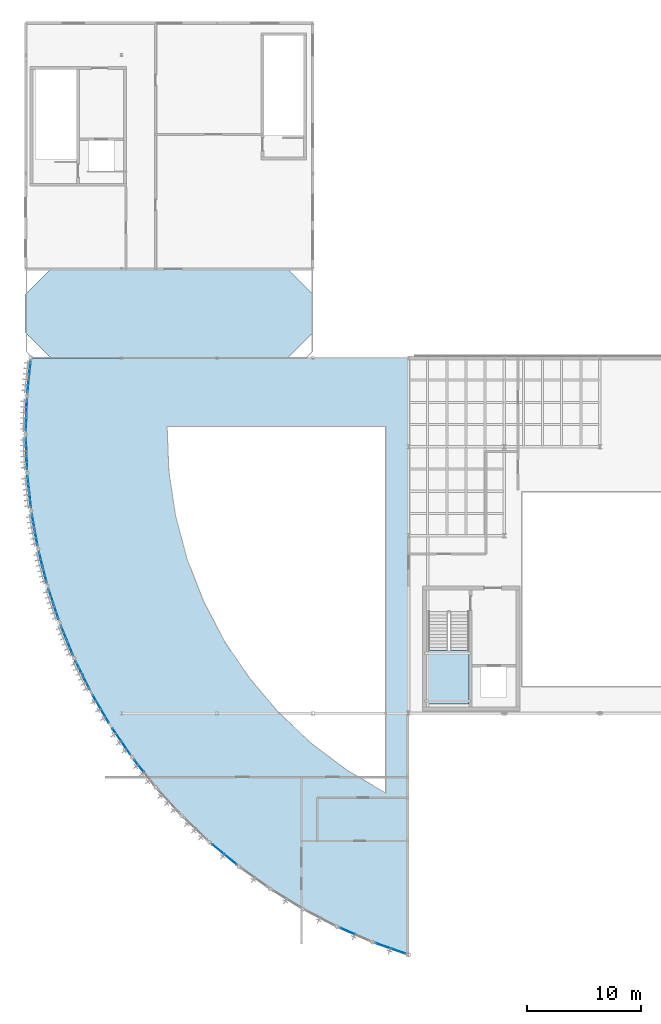
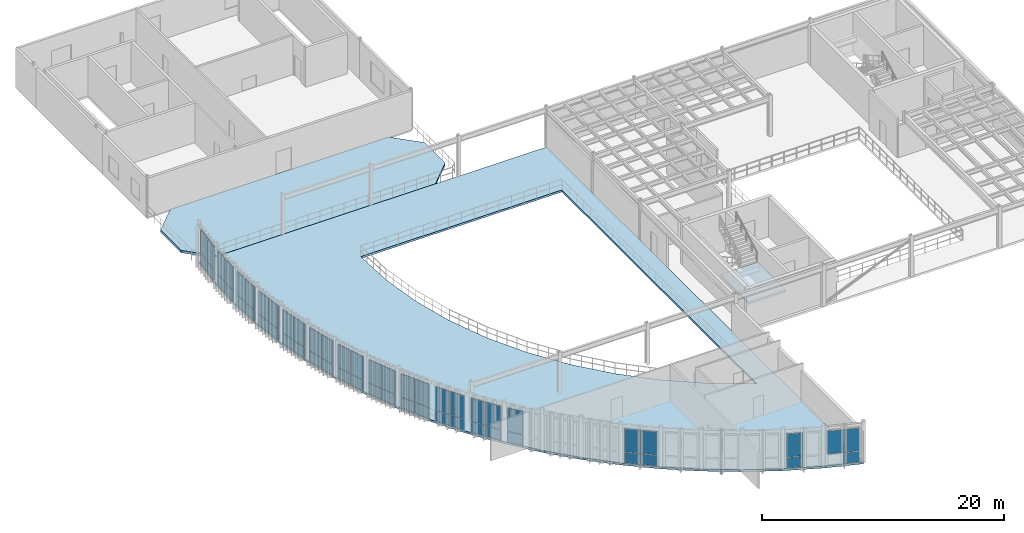
# One storey, part 18 of 32: 55 plates, 3 slabs, 16 elements without a shape of their own.
"""IFC4 building model written with IfcOpenShell, lengths in metres."""

from ifc_helpers import new_model, si_unit, direction, frame, origin, origin_2d, place, context, subcontext, project, spatial, polyline, rectangle, outline, extrude, material, layer, layer_set, type_object, element, aggregate, save


model = new_model("IFC4")

# Units and contexts
model_context = context("Model", 3, precision=1e-05, world=origin(), true_north=direction((0.0, 1.0)))
body_context = subcontext(model_context, "Body", "Model", "MODEL_VIEW")
ifc_project = project(units=[si_unit("LENGTHUNIT", "METRE"), si_unit("AREAUNIT", "SQUARE_METRE"), si_unit("VOLUMEUNIT", "CUBIC_METRE"), si_unit("PLANEANGLEUNIT", "RADIAN"), si_unit("MASSUNIT", "GRAM", prefix="KILO")], contexts=[model_context])

# Site, building, storey
site_placement = place(None, origin())
site = spatial("IfcSite", under=ifc_project, at=site_placement, CompositionType="ELEMENT")
building_placement = place(site_placement, origin())
building = spatial("IfcBuilding", under=site, at=building_placement, Name="Selat Folded Stagehouse", CompositionType="ELEMENT")
storey_placement = place(building_placement, frame((0.0, 0.0, 19.199951171875)))
storey = spatial("IfcBuildingStorey", under=building, at=storey_placement, Name="L04", CompositionType="ELEMENT", Elevation=19.199951171875)

# Curtain wall, plates
ifc_material_1 = material(Name="Aluminium 6063-T6", Category="aluminium")
ifc_layer_1 = layer(ifc_material_1, 0.18505859375)
ifc_layer_set_1 = layer_set([ifc_layer_1], Name="Aluminium 6063-T6")
curtain_wall_type = type_object("IfcCurtainWallType", Name="CW-DRM-UPPER", PredefinedType="NOTDEFINED", material=ifc_layer_set_1)
curtain_wall_1_placement = place(storey_placement, origin())
curtain_wall_1 = element("IfcCurtainWall", 1, at=curtain_wall_1_placement, inside=storey, type_object=curtain_wall_type, Name="L04 curtain wall CW-DRM-L04-00", PredefinedType="NOTDEFINED")
ifc_material_2 = material(Name="Insulated bronze aluminium spandrel panel", Category="aluminium")
ifc_layer_2 = layer(ifc_material_2, 0.050048828125)
ifc_layer_set_2 = layer_set([ifc_layer_2], Name="Insulated bronze aluminium spandrel panel")
plate_type = type_object("IfcPlateType", Name="CWP-SPD-ALU50", PredefinedType="CURTAIN_PANEL", material=ifc_layer_set_2)
plate_1_placement = place(storey_placement, frame((0.211181640625, 52.22705078125, 0.06494140625), z_axis=(0.0, 0.0, 1.0), x_axis=(0.102616116059, 0.994721032614, 0.0)))
plate_1 = element("IfcPlate", 2, at=plate_1_placement, type_object=plate_type, Name="CW-03 panel 1.1", PredefinedType="CURTAIN_PANEL", context=body_context, shape_type="SweptSolid", body=[
    extrude(rectangle(XDim=1.3369140625, YDim=0.050048828125, at=origin_2d()), origin(), (0.0, 0.0, 1.0), 1.052490234375),
])
plate_2_placement = place(storey_placement, frame((0.211181640625, 52.22705078125, 1.1826171875), z_axis=(0.0, 0.0, 1.0), x_axis=(0.102616116059, 0.994721032614, 0.0)))
plate_2 = element("IfcPlate", 3, at=plate_2_placement, type_object=plate_type, Name="CW-03 panel 1.2", PredefinedType="CURTAIN_PANEL", context=body_context, shape_type="SweptSolid", body=[
    extrude(rectangle(XDim=1.3369140625, YDim=0.050048828125, at=origin_2d()), origin(), (0.0, 0.0, 1.0), 2.3125),
])
plate_3_placement = place(storey_placement, frame((0.35498046875, 53.62158203125, 0.06494140625), z_axis=(0.0, 0.0, 1.0), x_axis=(0.102616116059, 0.994721032614, 0.0)))
plate_3 = element("IfcPlate", 4, at=plate_3_placement, type_object=plate_type, Name="CW-03 panel 2.1", PredefinedType="CURTAIN_PANEL", context=body_context, shape_type="SweptSolid", body=[
    extrude(rectangle(XDim=1.3369140625, YDim=0.050048828125, at=origin_2d()), origin(), (0.0, 0.0, 1.0), 1.052490234375),
])
plate_4_placement = place(storey_placement, frame((0.35498046875, 53.62158203125, 1.1826171875), z_axis=(0.0, 0.0, 1.0), x_axis=(0.102616116059, 0.994721032614, 0.0)))
plate_4 = element("IfcPlate", 5, at=plate_4_placement, type_object=plate_type, Name="CW-03 panel 2.2", PredefinedType="CURTAIN_PANEL", context=body_context, shape_type="SweptSolid", body=[
    extrude(rectangle(XDim=1.3369140625, YDim=0.050048828125, at=origin_2d()), origin(), (0.0, 0.0, 1.0), 2.3125),
])
aggregate(curtain_wall_1, [plate_1, plate_2, plate_3, plate_4])

curtain_wall_2_placement = place(storey_placement, origin())
curtain_wall_2 = element("IfcCurtainWall", 6, at=curtain_wall_2_placement, inside=storey, type_object=curtain_wall_type, Name="L04 curtain wall CW-DRM-L04-01", PredefinedType="NOTDEFINED")
plate_5_placement = place(storey_placement, frame((0.0322265625, 48.864501953125, 0.06494140625), z_axis=(0.0, 0.0, 1.0), x_axis=(0.032625434862, 0.999467648801, 0.0)))
plate_5 = element("IfcPlate", 7, at=plate_5_placement, type_object=plate_type, Name="CW-03 panel 1.1", PredefinedType="CURTAIN_PANEL", context=body_context, shape_type="SweptSolid", body=[
    extrude(rectangle(XDim=1.3369140625, YDim=0.050048828125, at=origin_2d()), origin(), (0.0, 0.0, 1.0), 1.052490234375),
])
plate_6_placement = place(storey_placement, frame((0.0322265625, 48.864501953125, 1.1826171875), z_axis=(0.0, 0.0, 1.0), x_axis=(0.032625434862, 0.999467648801, 0.0)))
plate_6 = element("IfcPlate", 8, at=plate_6_placement, type_object=plate_type, Name="CW-03 panel 1.2", PredefinedType="CURTAIN_PANEL", context=body_context, shape_type="SweptSolid", body=[
    extrude(rectangle(XDim=1.3369140625, YDim=0.050048828125, at=origin_2d()), origin(), (0.0, 0.0, 1.0), 2.3125),
])
plate_7_placement = place(storey_placement, frame((0.077880859375, 50.265869140625, 0.06494140625), z_axis=(0.0, 0.0, 1.0), x_axis=(0.032625434862, 0.999467648801, 0.0)))
plate_7 = element("IfcPlate", 9, at=plate_7_placement, type_object=plate_type, Name="CW-03 panel 2.1", PredefinedType="CURTAIN_PANEL", context=body_context, shape_type="SweptSolid", body=[
    extrude(rectangle(XDim=1.3369140625, YDim=0.050048828125, at=origin_2d()), origin(), (0.0, 0.0, 1.0), 1.052490234375),
])
plate_8_placement = place(storey_placement, frame((0.077880859375, 50.265869140625, 1.1826171875), z_axis=(0.0, 0.0, 1.0), x_axis=(0.032625434862, 0.999467648801, 0.0)))
plate_8 = element("IfcPlate", 10, at=plate_8_placement, type_object=plate_type, Name="CW-03 panel 2.2", PredefinedType="CURTAIN_PANEL", context=body_context, shape_type="SweptSolid", body=[
    extrude(rectangle(XDim=1.3369140625, YDim=0.050048828125, at=origin_2d()), origin(), (0.0, 0.0, 1.0), 2.3125),
])
aggregate(curtain_wall_2, [plate_5, plate_6, plate_7, plate_8])

curtain_wall_3_placement = place(storey_placement, origin())
curtain_wall_3 = element("IfcCurtainWall", 11, at=curtain_wall_3_placement, inside=storey, type_object=curtain_wall_type, Name="L04 curtain wall CW-DRM-L04-02", PredefinedType="NOTDEFINED")
plate_9_placement = place(storey_placement, frame((0.08984375, 45.497802734375, 0.06494140625), z_axis=(0.0, 0.0, 1.0), x_axis=(-0.037573727908, 0.999293858167, 0.0)))
plate_9 = element("IfcPlate", 12, at=plate_9_placement, type_object=plate_type, Name="CW-03 panel 1.1", PredefinedType="CURTAIN_PANEL", context=body_context, shape_type="SweptSolid", body=[
    extrude(rectangle(XDim=1.3369140625, YDim=0.050048828125, at=origin_2d()), origin(), (0.0, 0.0, 1.0), 1.052490234375),
])
plate_10_placement = place(storey_placement, frame((0.08984375, 45.497802734375, 1.1826171875), z_axis=(0.0, 0.0, 1.0), x_axis=(-0.037573727908, 0.999293858167, 0.0)))
plate_10 = element("IfcPlate", 13, at=plate_10_placement, type_object=plate_type, Name="CW-03 panel 1.2", PredefinedType="CURTAIN_PANEL", context=body_context, shape_type="SweptSolid", body=[
    extrude(rectangle(XDim=1.3369140625, YDim=0.050048828125, at=origin_2d()), origin(), (0.0, 0.0, 1.0), 2.3125),
])
plate_11_placement = place(storey_placement, frame((0.037109375, 46.89892578125, 0.06494140625), z_axis=(0.0, 0.0, 1.0), x_axis=(-0.037573727908, 0.999293858167, 0.0)))
plate_11 = element("IfcPlate", 14, at=plate_11_placement, type_object=plate_type, Name="CW-03 panel 2.1", PredefinedType="CURTAIN_PANEL", context=body_context, shape_type="SweptSolid", body=[
    extrude(rectangle(XDim=1.3369140625, YDim=0.050048828125, at=origin_2d()), origin(), (0.0, 0.0, 1.0), 1.052490234375),
])
plate_12_placement = place(storey_placement, frame((0.037109375, 46.89892578125, 1.1826171875), z_axis=(0.0, 0.0, 1.0), x_axis=(-0.037573727908, 0.999293858167, 0.0)))
plate_12 = element("IfcPlate", 15, at=plate_12_placement, type_object=plate_type, Name="CW-03 panel 2.2", PredefinedType="CURTAIN_PANEL", context=body_context, shape_type="SweptSolid", body=[
    extrude(rectangle(XDim=1.3369140625, YDim=0.050048828125, at=origin_2d()), origin(), (0.0, 0.0, 1.0), 2.3125),
])
aggregate(curtain_wall_3, [plate_9, plate_10, plate_11, plate_12])

curtain_wall_4_placement = place(storey_placement, origin())
curtain_wall_4 = element("IfcCurtainWall", 16, at=curtain_wall_4_placement, inside=storey, type_object=curtain_wall_type, Name="L04 curtain wall CW-DRM-L04-03", PredefinedType="NOTDEFINED")
plate_13_placement = place(storey_placement, frame((0.38330078125, 42.143310546875, 0.06494140625), z_axis=(0.0, 0.0, 1.0), x_axis=(-0.107558193428, 0.994198790497, 0.0)))
plate_13 = element("IfcPlate", 17, at=plate_13_placement, type_object=plate_type, Name="CW-03 panel 1.1", PredefinedType="CURTAIN_PANEL", context=body_context, shape_type="SweptSolid", body=[
    extrude(rectangle(XDim=1.337158203125, YDim=0.050048828125, at=origin_2d()), origin(), (0.0, 0.0, 1.0), 1.052490234375),
])
plate_14_placement = place(storey_placement, frame((0.38330078125, 42.143310546875, 1.1826171875), z_axis=(0.0, 0.0, 1.0), x_axis=(-0.107558193428, 0.994198790497, 0.0)))
plate_14 = element("IfcPlate", 18, at=plate_14_placement, type_object=plate_type, Name="CW-03 panel 1.2", PredefinedType="CURTAIN_PANEL", context=body_context, shape_type="SweptSolid", body=[
    extrude(rectangle(XDim=1.337158203125, YDim=0.050048828125, at=origin_2d()), origin(), (0.0, 0.0, 1.0), 2.3125),
])
plate_15_placement = place(storey_placement, frame((0.232421875, 43.537109375, 0.06494140625), z_axis=(0.0, 0.0, 1.0), x_axis=(-0.107558193428, 0.994198790497, 0.0)))
plate_15 = element("IfcPlate", 19, at=plate_15_placement, type_object=plate_type, Name="CW-03 panel 2.1", PredefinedType="CURTAIN_PANEL", context=body_context, shape_type="SweptSolid", body=[
    extrude(rectangle(XDim=1.337158203125, YDim=0.050048828125, at=origin_2d()), origin(), (0.0, 0.0, 1.0), 1.052490234375),
])
plate_16_placement = place(storey_placement, frame((0.232421875, 43.537109375, 1.1826171875), z_axis=(0.0, 0.0, 1.0), x_axis=(-0.107558193428, 0.994198790497, 0.0)))
plate_16 = element("IfcPlate", 20, at=plate_16_placement, type_object=plate_type, Name="CW-03 panel 2.2", PredefinedType="CURTAIN_PANEL", context=body_context, shape_type="SweptSolid", body=[
    extrude(rectangle(XDim=1.337158203125, YDim=0.050048828125, at=origin_2d()), origin(), (0.0, 0.0, 1.0), 2.3125),
])
aggregate(curtain_wall_4, [plate_13, plate_14, plate_15, plate_16])

curtain_wall_5_placement = place(storey_placement, origin())
curtain_wall_5 = element("IfcCurtainWall", 21, at=curtain_wall_5_placement, inside=storey, type_object=curtain_wall_type, Name="L04 curtain wall CW-DRM-L04-04", PredefinedType="NOTDEFINED")
plate_17_placement = place(storey_placement, frame((0.911376953125, 38.817626953125, 0.06494140625), z_axis=(0.0, 0.0, 1.0), x_axis=(-0.177001739435, 0.984210538572, 0.0)))
plate_17 = element("IfcPlate", 22, at=plate_17_placement, type_object=plate_type, Name="CW-03 panel 1.1", PredefinedType="CURTAIN_PANEL", context=body_context, shape_type="SweptSolid", body=[
    extrude(rectangle(XDim=1.3369140625, YDim=0.050048828125, at=origin_2d()), origin(), (0.0, 0.0, 1.0), 1.052490234375),
])
plate_18_placement = place(storey_placement, frame((0.911376953125, 38.817626953125, 1.1826171875), z_axis=(0.0, 0.0, 1.0), x_axis=(-0.177001739435, 0.984210538572, 0.0)))
plate_18 = element("IfcPlate", 23, at=plate_18_placement, type_object=plate_type, Name="CW-03 panel 1.2", PredefinedType="CURTAIN_PANEL", context=body_context, shape_type="SweptSolid", body=[
    extrude(rectangle(XDim=1.3369140625, YDim=0.050048828125, at=origin_2d()), origin(), (0.0, 0.0, 1.0), 2.3125),
])
plate_19_placement = place(storey_placement, frame((0.663330078125, 40.197509765625, 0.06494140625), z_axis=(0.0, 0.0, 1.0), x_axis=(-0.177001739435, 0.984210538572, 0.0)))
plate_19 = element("IfcPlate", 24, at=plate_19_placement, type_object=plate_type, Name="CW-03 panel 2.1", PredefinedType="CURTAIN_PANEL", context=body_context, shape_type="SweptSolid", body=[
    extrude(rectangle(XDim=1.3369140625, YDim=0.050048828125, at=origin_2d()), origin(), (0.0, 0.0, 1.0), 1.052490234375),
])
plate_20_placement = place(storey_placement, frame((0.663330078125, 40.197509765625, 1.1826171875), z_axis=(0.0, 0.0, 1.0), x_axis=(-0.177001739435, 0.984210538572, 0.0)))
plate_20 = element("IfcPlate", 25, at=plate_20_placement, type_object=plate_type, Name="CW-03 panel 2.2", PredefinedType="CURTAIN_PANEL", context=body_context, shape_type="SweptSolid", body=[
    extrude(rectangle(XDim=1.3369140625, YDim=0.050048828125, at=origin_2d()), origin(), (0.0, 0.0, 1.0), 2.3125),
])
aggregate(curtain_wall_5, [plate_17, plate_18, plate_19, plate_20])

curtain_wall_6_placement = place(storey_placement, origin())
curtain_wall_6 = element("IfcCurtainWall", 26, at=curtain_wall_6_placement, inside=storey, type_object=curtain_wall_type, Name="L04 curtain wall CW-DRM-L04-05", PredefinedType="NOTDEFINED")
plate_21_placement = place(storey_placement, frame((1.67138671875, 35.537353515625, 0.06494140625), z_axis=(0.0, 0.0, 1.0), x_axis=(-0.24561797686, 0.969366705351, 0.0)))
plate_21 = element("IfcPlate", 27, at=plate_21_placement, type_object=plate_type, Name="CW-03 panel 1.1", PredefinedType="CURTAIN_PANEL", context=body_context, shape_type="SweptSolid", body=[
    extrude(rectangle(XDim=1.337158203125, YDim=0.050048828125, at=origin_2d()), origin(), (0.0, 0.0, 1.0), 1.052490234375),
])
plate_22_placement = place(storey_placement, frame((1.67138671875, 35.537353515625, 1.1826171875), z_axis=(0.0, 0.0, 1.0), x_axis=(-0.24561797686, 0.969366705351, 0.0)))
plate_22 = element("IfcPlate", 28, at=plate_22_placement, type_object=plate_type, Name="CW-03 panel 1.2", PredefinedType="CURTAIN_PANEL", context=body_context, shape_type="SweptSolid", body=[
    extrude(rectangle(XDim=1.337158203125, YDim=0.050048828125, at=origin_2d()), origin(), (0.0, 0.0, 1.0), 2.3125),
])
plate_23_placement = place(storey_placement, frame((1.3271484375, 36.896240234375, 0.06494140625), z_axis=(0.0, 0.0, 1.0), x_axis=(-0.24561797686, 0.969366705351, 0.0)))
plate_23 = element("IfcPlate", 29, at=plate_23_placement, type_object=plate_type, Name="CW-03 panel 2.1", PredefinedType="CURTAIN_PANEL", context=body_context, shape_type="SweptSolid", body=[
    extrude(rectangle(XDim=1.337158203125, YDim=0.050048828125, at=origin_2d()), origin(), (0.0, 0.0, 1.0), 1.052490234375),
])
plate_24_placement = place(storey_placement, frame((1.3271484375, 36.896240234375, 1.1826171875), z_axis=(0.0, 0.0, 1.0), x_axis=(-0.24561797686, 0.969366705351, 0.0)))
plate_24 = element("IfcPlate", 30, at=plate_24_placement, type_object=plate_type, Name="CW-03 panel 2.2", PredefinedType="CURTAIN_PANEL", context=body_context, shape_type="SweptSolid", body=[
    extrude(rectangle(XDim=1.337158203125, YDim=0.050048828125, at=origin_2d()), origin(), (0.0, 0.0, 1.0), 2.3125),
])
aggregate(curtain_wall_6, [plate_21, plate_22, plate_23, plate_24])

curtain_wall_7_placement = place(storey_placement, origin())
curtain_wall_7 = element("IfcCurtainWall", 31, at=curtain_wall_7_placement, inside=storey, type_object=curtain_wall_type, Name="L04 curtain wall CW-DRM-L04-06", PredefinedType="NOTDEFINED")
plate_25_placement = place(storey_placement, frame((2.65966796875, 32.318359375, 0.06494140625), z_axis=(0.0, 0.0, 1.0), x_axis=(-0.312994904395, 0.949754805107, 0.0)))
plate_25 = element("IfcPlate", 32, at=plate_25_placement, type_object=plate_type, Name="CW-03 panel 1.1", PredefinedType="CURTAIN_PANEL", context=body_context, shape_type="SweptSolid", body=[
    extrude(rectangle(XDim=1.3369140625, YDim=0.050048828125, at=origin_2d()), origin(), (0.0, 0.0, 1.0), 1.052490234375),
])
plate_26_placement = place(storey_placement, frame((2.65966796875, 32.318359375, 1.1826171875), z_axis=(0.0, 0.0, 1.0), x_axis=(-0.312994904395, 0.949754805107, 0.0)))
plate_26 = element("IfcPlate", 33, at=plate_26_placement, type_object=plate_type, Name="CW-03 panel 1.2", PredefinedType="CURTAIN_PANEL", context=body_context, shape_type="SweptSolid", body=[
    extrude(rectangle(XDim=1.3369140625, YDim=0.050048828125, at=origin_2d()), origin(), (0.0, 0.0, 1.0), 2.3125),
])
plate_27_placement = place(storey_placement, frame((2.220947265625, 33.64990234375, 0.06494140625), z_axis=(0.0, 0.0, 1.0), x_axis=(-0.312994904395, 0.949754805107, 0.0)))
plate_27 = element("IfcPlate", 34, at=plate_27_placement, type_object=plate_type, Name="CW-03 panel 2.1", PredefinedType="CURTAIN_PANEL", context=body_context, shape_type="SweptSolid", body=[
    extrude(rectangle(XDim=1.3369140625, YDim=0.050048828125, at=origin_2d()), origin(), (0.0, 0.0, 1.0), 1.052490234375),
])
plate_28_placement = place(storey_placement, frame((2.220947265625, 33.64990234375, 1.1826171875), z_axis=(0.0, 0.0, 1.0), x_axis=(-0.312994904395, 0.949754805107, 0.0)))
plate_28 = element("IfcPlate", 35, at=plate_28_placement, type_object=plate_type, Name="CW-03 panel 2.2", PredefinedType="CURTAIN_PANEL", context=body_context, shape_type="SweptSolid", body=[
    extrude(rectangle(XDim=1.3369140625, YDim=0.050048828125, at=origin_2d()), origin(), (0.0, 0.0, 1.0), 2.3125),
])
aggregate(curtain_wall_7, [plate_25, plate_26, plate_27, plate_28])

curtain_wall_8_placement = place(storey_placement, origin())
curtain_wall_8 = element("IfcCurtainWall", 36, at=curtain_wall_8_placement, inside=storey, type_object=curtain_wall_type, Name="L04 curtain wall CW-DRM-L04-07", PredefinedType="NOTDEFINED")
plate_29_placement = place(storey_placement, frame((3.871337890625, 29.176513671875, 0.06494140625), z_axis=(0.0, 0.0, 1.0), x_axis=(-0.378890707813, 0.925441425231, 0.0)))
plate_29 = element("IfcPlate", 37, at=plate_29_placement, type_object=plate_type, Name="CW-03 panel 1.1", PredefinedType="CURTAIN_PANEL", context=body_context, shape_type="SweptSolid", body=[
    extrude(rectangle(XDim=1.3369140625, YDim=0.050048828125, at=origin_2d()), origin(), (0.0, 0.0, 1.0), 1.052490234375),
])
plate_30_placement = place(storey_placement, frame((3.871337890625, 29.176513671875, 1.1826171875), z_axis=(0.0, 0.0, 1.0), x_axis=(-0.378890707813, 0.925441425231, 0.0)))
plate_30 = element("IfcPlate", 38, at=plate_30_placement, type_object=plate_type, Name="CW-03 panel 1.2", PredefinedType="CURTAIN_PANEL", context=body_context, shape_type="SweptSolid", body=[
    extrude(rectangle(XDim=1.3369140625, YDim=0.050048828125, at=origin_2d()), origin(), (0.0, 0.0, 1.0), 2.3125),
])
plate_31_placement = place(storey_placement, frame((3.340087890625, 30.47412109375, 0.06494140625), z_axis=(0.0, 0.0, 1.0), x_axis=(-0.378890707813, 0.925441425231, 0.0)))
plate_31 = element("IfcPlate", 39, at=plate_31_placement, type_object=plate_type, Name="CW-03 panel 2.1", PredefinedType="CURTAIN_PANEL", context=body_context, shape_type="SweptSolid", body=[
    extrude(rectangle(XDim=1.3369140625, YDim=0.050048828125, at=origin_2d()), origin(), (0.0, 0.0, 1.0), 1.052490234375),
])
plate_32_placement = place(storey_placement, frame((3.340087890625, 30.47412109375, 1.1826171875), z_axis=(0.0, 0.0, 1.0), x_axis=(-0.378890707813, 0.925441425231, 0.0)))
plate_32 = element("IfcPlate", 40, at=plate_32_placement, type_object=plate_type, Name="CW-03 panel 2.2", PredefinedType="CURTAIN_PANEL", context=body_context, shape_type="SweptSolid", body=[
    extrude(rectangle(XDim=1.3369140625, YDim=0.050048828125, at=origin_2d()), origin(), (0.0, 0.0, 1.0), 2.3125),
])
aggregate(curtain_wall_8, [plate_29, plate_30, plate_31, plate_32])

curtain_wall_9_placement = place(storey_placement, origin())
curtain_wall_9 = element("IfcCurtainWall", 41, at=curtain_wall_9_placement, inside=storey, type_object=curtain_wall_type, Name="L04 curtain wall CW-DRM-L04-08", PredefinedType="NOTDEFINED")
plate_33_placement = place(storey_placement, frame((5.300537109375, 26.12744140625, 0.06494140625), z_axis=(0.0, 0.0, 1.0), x_axis=(-0.442844653705, 0.896598356392, 0.0)))
plate_33 = element("IfcPlate", 42, at=plate_33_placement, type_object=plate_type, Name="CW-03 panel 1.1", PredefinedType="CURTAIN_PANEL", context=body_context, shape_type="SweptSolid", body=[
    extrude(rectangle(XDim=1.337158203125, YDim=0.050048828125, at=origin_2d()), origin(), (0.0, 0.0, 1.0), 1.052490234375),
])
plate_34_placement = place(storey_placement, frame((5.300537109375, 26.12744140625, 1.1826171875), z_axis=(0.0, 0.0, 1.0), x_axis=(-0.442844653705, 0.896598356392, 0.0)))
plate_34 = element("IfcPlate", 43, at=plate_34_placement, type_object=plate_type, Name="CW-03 panel 1.2", PredefinedType="CURTAIN_PANEL", context=body_context, shape_type="SweptSolid", body=[
    extrude(rectangle(XDim=1.337158203125, YDim=0.050048828125, at=origin_2d()), origin(), (0.0, 0.0, 1.0), 2.3125),
])
plate_35_placement = place(storey_placement, frame((4.679443359375, 27.384521484375, 0.06494140625), z_axis=(0.0, 0.0, 1.0), x_axis=(-0.442844653705, 0.896598356392, 0.0)))
plate_35 = element("IfcPlate", 44, at=plate_35_placement, type_object=plate_type, Name="CW-03 panel 2.1", PredefinedType="CURTAIN_PANEL", context=body_context, shape_type="SweptSolid", body=[
    extrude(rectangle(XDim=1.337158203125, YDim=0.050048828125, at=origin_2d()), origin(), (0.0, 0.0, 1.0), 1.052490234375),
])
plate_36_placement = place(storey_placement, frame((4.679443359375, 27.384521484375, 1.1826171875), z_axis=(0.0, 0.0, 1.0), x_axis=(-0.442844653705, 0.896598356392, 0.0)))
plate_36 = element("IfcPlate", 45, at=plate_36_placement, type_object=plate_type, Name="CW-03 panel 2.2", PredefinedType="CURTAIN_PANEL", context=body_context, shape_type="SweptSolid", body=[
    extrude(rectangle(XDim=1.337158203125, YDim=0.050048828125, at=origin_2d()), origin(), (0.0, 0.0, 1.0), 2.3125),
])
aggregate(curtain_wall_9, [plate_33, plate_34, plate_35, plate_36])

curtain_wall_10_placement = place(storey_placement, origin())
curtain_wall_10 = element("IfcCurtainWall", 46, at=curtain_wall_10_placement, inside=storey, type_object=curtain_wall_type, Name="L04 curtain wall CW-DRM-L04-09", PredefinedType="NOTDEFINED")
plate_37_placement = place(storey_placement, frame((6.93994140625, 23.186279296875, 0.06494140625), z_axis=(0.0, 0.0, 1.0), x_axis=(-0.504635839764, 0.863332305214, 0.0)))
plate_37 = element("IfcPlate", 47, at=plate_37_placement, type_object=plate_type, Name="CW-03 panel 1.1", PredefinedType="CURTAIN_PANEL", context=body_context, shape_type="SweptSolid", body=[
    extrude(rectangle(XDim=1.3369140625, YDim=0.050048828125, at=origin_2d()), origin(), (0.0, 0.0, 1.0), 1.052490234375),
])
plate_38_placement = place(storey_placement, frame((6.93994140625, 23.186279296875, 1.1826171875), z_axis=(0.0, 0.0, 1.0), x_axis=(-0.504635839764, 0.863332305214, 0.0)))
plate_38 = element("IfcPlate", 48, at=plate_38_placement, type_object=plate_type, Name="CW-03 panel 1.2", PredefinedType="CURTAIN_PANEL", context=body_context, shape_type="SweptSolid", body=[
    extrude(rectangle(XDim=1.3369140625, YDim=0.050048828125, at=origin_2d()), origin(), (0.0, 0.0, 1.0), 2.3125),
])
plate_39_placement = place(storey_placement, frame((6.232421875, 24.396728515625, 0.06494140625), z_axis=(0.0, 0.0, 1.0), x_axis=(-0.504635839764, 0.863332305214, 0.0)))
plate_39 = element("IfcPlate", 49, at=plate_39_placement, type_object=plate_type, Name="CW-03 panel 2.1", PredefinedType="CURTAIN_PANEL", context=body_context, shape_type="SweptSolid", body=[
    extrude(rectangle(XDim=1.3369140625, YDim=0.050048828125, at=origin_2d()), origin(), (0.0, 0.0, 1.0), 1.052490234375),
])
plate_40_placement = place(storey_placement, frame((6.232421875, 24.396728515625, 1.1826171875), z_axis=(0.0, 0.0, 1.0), x_axis=(-0.504635839764, 0.863332305214, 0.0)))
plate_40 = element("IfcPlate", 50, at=plate_40_placement, type_object=plate_type, Name="CW-03 panel 2.2", PredefinedType="CURTAIN_PANEL", context=body_context, shape_type="SweptSolid", body=[
    extrude(rectangle(XDim=1.3369140625, YDim=0.050048828125, at=origin_2d()), origin(), (0.0, 0.0, 1.0), 2.3125),
])
aggregate(curtain_wall_10, [plate_37, plate_38, plate_39, plate_40])

curtain_wall_11_placement = place(storey_placement, origin())
curtain_wall_11 = element("IfcCurtainWall", 51, at=curtain_wall_11_placement, inside=storey, type_object=curtain_wall_type, Name="L04 curtain wall CW-DRM-L04-10", PredefinedType="NOTDEFINED")
plate_41_placement = place(storey_placement, frame((8.781494140625, 20.3671875, 0.06494140625), z_axis=(0.0, 0.0, 1.0), x_axis=(-0.563947732504, 0.825810483709, 0.0)))
plate_41 = element("IfcPlate", 52, at=plate_41_placement, type_object=plate_type, Name="CW-03 panel 1.1", PredefinedType="CURTAIN_PANEL", context=body_context, shape_type="SweptSolid", body=[
    extrude(rectangle(XDim=1.3369140625, YDim=0.050048828125, at=origin_2d()), origin(), (0.0, 0.0, 1.0), 1.052490234375),
])
plate_42_placement = place(storey_placement, frame((8.781494140625, 20.3671875, 1.1826171875), z_axis=(0.0, 0.0, 1.0), x_axis=(-0.563947732504, 0.825810483709, 0.0)))
plate_42 = element("IfcPlate", 53, at=plate_42_placement, type_object=plate_type, Name="CW-03 panel 1.2", PredefinedType="CURTAIN_PANEL", context=body_context, shape_type="SweptSolid", body=[
    extrude(rectangle(XDim=1.3369140625, YDim=0.050048828125, at=origin_2d()), origin(), (0.0, 0.0, 1.0), 2.3125),
])
plate_43_placement = place(storey_placement, frame((7.990966796875, 21.525146484375, 0.06494140625), z_axis=(0.0, 0.0, 1.0), x_axis=(-0.563947732504, 0.825810483709, 0.0)))
plate_43 = element("IfcPlate", 54, at=plate_43_placement, type_object=plate_type, Name="CW-03 panel 2.1", PredefinedType="CURTAIN_PANEL", context=body_context, shape_type="SweptSolid", body=[
    extrude(rectangle(XDim=1.3369140625, YDim=0.050048828125, at=origin_2d()), origin(), (0.0, 0.0, 1.0), 1.052490234375),
])
plate_44_placement = place(storey_placement, frame((7.990966796875, 21.525146484375, 1.1826171875), z_axis=(0.0, 0.0, 1.0), x_axis=(-0.563947732504, 0.825810483709, 0.0)))
plate_44 = element("IfcPlate", 55, at=plate_44_placement, type_object=plate_type, Name="CW-03 panel 2.2", PredefinedType="CURTAIN_PANEL", context=body_context, shape_type="SweptSolid", body=[
    extrude(rectangle(XDim=1.3369140625, YDim=0.050048828125, at=origin_2d()), origin(), (0.0, 0.0, 1.0), 2.3125),
])
aggregate(curtain_wall_11, [plate_41, plate_42, plate_43, plate_44])

curtain_wall_12_placement = place(storey_placement, origin())
curtain_wall_12 = element("IfcCurtainWall", 56, at=curtain_wall_12_placement, inside=storey, type_object=curtain_wall_type, Name="L04 curtain wall CW-DRM-L04-11", PredefinedType="NOTDEFINED")
plate_45_placement = place(storey_placement, frame((9.946533203125, 18.78369140625, 0.06494140625), z_axis=(0.0, 0.0, 1.0), x_axis=(-0.620533301992, 0.784180094825, 0.0)))
plate_45 = element("IfcPlate", 57, at=plate_45_placement, type_object=plate_type, Name="CW-03 panel 2.1", PredefinedType="CURTAIN_PANEL", context=body_context, shape_type="SweptSolid", body=[
    extrude(rectangle(XDim=1.3369140625, YDim=0.050048828125, at=origin_2d()), origin(), (0.0, 0.0, 1.0), 1.052490234375),
])
plate_46_placement = place(storey_placement, frame((9.946533203125, 18.78369140625, 1.1826171875), z_axis=(0.0, 0.0, 1.0), x_axis=(-0.620533301992, 0.784180094825, 0.0)))
plate_46 = element("IfcPlate", 58, at=plate_46_placement, type_object=plate_type, Name="CW-03 panel 2.2", PredefinedType="CURTAIN_PANEL", context=body_context, shape_type="SweptSolid", body=[
    extrude(rectangle(XDim=1.3369140625, YDim=0.050048828125, at=origin_2d()), origin(), (0.0, 0.0, 1.0), 2.3125),
])
aggregate(curtain_wall_12, [plate_45, plate_46])

curtain_wall_13_placement = place(storey_placement, origin())
curtain_wall_13 = element("IfcCurtainWall", 59, at=curtain_wall_13_placement, inside=storey, type_object=curtain_wall_type, Name="L04 curtain wall CW-DRM-L04-14", PredefinedType="NOTDEFINED")
plate_47_placement = place(storey_placement, frame((17.9755859375, 10.580810546875, 0.06494140625), z_axis=(0.0, 0.0, 1.0), x_axis=(-0.770746654899, 0.637141737734, 0.0)))
plate_47 = element("IfcPlate", 60, at=plate_47_placement, type_object=plate_type, Name="CW-03 panel 1.1", PredefinedType="CURTAIN_PANEL", context=body_context, shape_type="SweptSolid", body=[
    extrude(rectangle(XDim=1.3369140625, YDim=0.050048828125, at=origin_2d()), origin(), (0.0, 0.0, 1.0), 1.052490234375),
])
plate_48_placement = place(storey_placement, frame((17.9755859375, 10.580810546875, 1.1826171875), z_axis=(0.0, 0.0, 1.0), x_axis=(-0.770746654899, 0.637141737734, 0.0)))
plate_48 = element("IfcPlate", 61, at=plate_48_placement, type_object=plate_type, Name="CW-03 panel 1.2", PredefinedType="CURTAIN_PANEL", context=body_context, shape_type="SweptSolid", body=[
    extrude(rectangle(XDim=1.3369140625, YDim=0.050048828125, at=origin_2d()), origin(), (0.0, 0.0, 1.0), 2.3125),
])
plate_49_placement = place(storey_placement, frame((16.89501953125, 11.47412109375, 0.06494140625), z_axis=(0.0, 0.0, 1.0), x_axis=(-0.770746654899, 0.637141737734, 0.0)))
plate_49 = element("IfcPlate", 62, at=plate_49_placement, type_object=plate_type, Name="CW-03 panel 2.1", PredefinedType="CURTAIN_PANEL", context=body_context, shape_type="SweptSolid", body=[
    extrude(rectangle(XDim=1.3369140625, YDim=0.050048828125, at=origin_2d()), origin(), (0.0, 0.0, 1.0), 1.052490234375),
])
plate_50_placement = place(storey_placement, frame((16.89501953125, 11.47412109375, 1.1826171875), z_axis=(0.0, 0.0, 1.0), x_axis=(-0.770746654899, 0.637141737734, 0.0)))
plate_50 = element("IfcPlate", 63, at=plate_50_placement, type_object=plate_type, Name="CW-03 panel 2.2", PredefinedType="CURTAIN_PANEL", context=body_context, shape_type="SweptSolid", body=[
    extrude(rectangle(XDim=1.3369140625, YDim=0.050048828125, at=origin_2d()), origin(), (0.0, 0.0, 1.0), 2.3125),
])
aggregate(curtain_wall_13, [plate_47, plate_48, plate_49, plate_50])

curtain_wall_14_placement = place(storey_placement, origin())
curtain_wall_14 = element("IfcCurtainWall", 64, at=curtain_wall_14_placement, inside=storey, type_object=curtain_wall_type, Name="L04 curtain wall CW-DRM-L04-18", PredefinedType="NOTDEFINED")
plate_51_placement = place(storey_placement, frame((28.23583984375, 4.28466796875, 0.06494140625), z_axis=(0.0, 0.0, 1.0), x_axis=(-0.917133771915, 0.39857953336, 0.0)))
plate_51 = element("IfcPlate", 65, at=plate_51_placement, type_object=plate_type, Name="CW-03 panel 2.1", PredefinedType="CURTAIN_PANEL", context=body_context, shape_type="SweptSolid", body=[
    extrude(rectangle(XDim=1.3369140625, YDim=0.050048828125, at=origin_2d()), origin(), (0.0, 0.0, 1.0), 1.052490234375),
])
plate_52_placement = place(storey_placement, frame((28.23583984375, 4.28466796875, 1.1826171875), z_axis=(0.0, 0.0, 1.0), x_axis=(-0.917133771915, 0.39857953336, 0.0)))
plate_52 = element("IfcPlate", 66, at=plate_52_placement, type_object=plate_type, Name="CW-03 panel 2.2", PredefinedType="CURTAIN_PANEL", context=body_context, shape_type="SweptSolid", body=[
    extrude(rectangle(XDim=1.3369140625, YDim=0.050048828125, at=origin_2d()), origin(), (0.0, 0.0, 1.0), 2.3125),
])
aggregate(curtain_wall_14, [plate_51, plate_52])

curtain_wall_15_placement = place(storey_placement, origin())
curtain_wall_15 = element("IfcCurtainWall", 67, at=curtain_wall_15_placement, inside=storey, type_object=curtain_wall_type, Name="L04 curtain wall CW-DRM-L04-19", PredefinedType="NOTDEFINED")
plate_53_placement = place(storey_placement, frame((32.672607421875, 2.53857421875, 0.06494140625), z_axis=(0.0, 0.0, 1.0), x_axis=(-0.942815824106, 0.333314148838, 0.0)))
plate_53 = element("IfcPlate", 68, at=plate_53_placement, type_object=plate_type, Name="CW-03 panel 1.1", PredefinedType="CURTAIN_PANEL", context=body_context, shape_type="SweptSolid", body=[
    extrude(rectangle(XDim=1.3369140625, YDim=0.050048828125, at=origin_2d()), origin(), (0.0, 0.0, 1.0), 1.052490234375),
])
plate_54_placement = place(storey_placement, frame((32.672607421875, 2.53857421875, 1.1826171875), z_axis=(0.0, 0.0, 1.0), x_axis=(-0.942815824106, 0.333314148838, 0.0)))
plate_54 = element("IfcPlate", 69, at=plate_54_placement, type_object=plate_type, Name="CW-03 panel 1.2", PredefinedType="CURTAIN_PANEL", context=body_context, shape_type="SweptSolid", body=[
    extrude(rectangle(XDim=1.3369140625, YDim=0.050048828125, at=origin_2d()), origin(), (0.0, 0.0, 1.0), 2.3125),
])
plate_55_placement = place(storey_placement, frame((31.350830078125, 3.006103515625, 1.1826171875), z_axis=(0.0, 0.0, 1.0), x_axis=(-0.942815824106, 0.333314148838, 0.0)))
plate_55 = element("IfcPlate", 70, at=plate_55_placement, type_object=plate_type, Name="CW-03 panel 2.2", PredefinedType="CURTAIN_PANEL", context=body_context, shape_type="SweptSolid", body=[
    extrude(rectangle(XDim=1.3369140625, YDim=0.050048828125, at=origin_2d()), origin(), (0.0, 0.0, 1.0), 2.3125),
])
aggregate(curtain_wall_15, [plate_53, plate_54, plate_55])

# Slabs
ifc_material_3 = material(Name="Concrete C40/50", Category="concrete")
ifc_layer_3 = layer(ifc_material_3, 0.239990234375)
ifc_layer_set_3 = layer_set([ifc_layer_3], Name="Concrete C40/50")
slab_type_1 = type_object("IfcSlabType", Name="SLAB-EXT-240", PredefinedType="FLOOR", material=ifc_layer_set_3)
slab_1_placement = place(storey_placement, frame((0.0, 0.0, -0.239990234375)))
element("IfcSlab", 71, at=slab_1_placement, inside=storey, type_object=slab_type_1, Name="L04 V4 floor slab SL-L04-TERR", PredefinedType="FLOOR", context=body_context, shape_type="SweptSolid", body=[
    extrude(outline(polyline([(2.199951171875, 54.60009765625), (23.0, 54.60009765625), (25.199951171875, 56.800048828125), (25.199951171875, 60.199951171875), (23.0, 62.39990234375), (2.199951171875, 62.39990234375), (0.0, 60.199951171875), (0.0, 56.800048828125), (2.199951171875, 54.60009765625)])), origin(), (0.0, 0.0, 1.0), 0.239990234375),
])
ifc_layer_4 = layer(ifc_material_3, 0.199951171875)
ifc_layer_set_4 = layer_set([ifc_layer_4], Name="Concrete C40/50")
slab_type_2 = type_object("IfcSlabType", Name="SLAB-FLR-200", PredefinedType="FLOOR", material=ifc_layer_set_4)
slab_2_placement = place(storey_placement, frame((0.0, 0.0, -0.199951171875)))
element("IfcSlab", 72, at=slab_2_placement, inside=storey, type_object=slab_type_2, Name="L04 V1 floor slab SL-L04-V1", PredefinedType="FLOOR", context=body_context, shape_type="SweptSolid", body=[
    extrude(outline(polyline([(0.455810546875, 54.60009765625), (0.110107421875, 51.248779296875), (0.0, 47.881591796875), (0.126708984375, 44.514892578125), (0.489013671875, 41.16552734375), (1.08544921875, 37.849609375), (1.9130859375, 34.583984375), (2.967529296875, 31.38427734375), (4.243896484375, 28.266357421875), (5.736083984375, 25.24560546875), (7.436279296875, 22.337158203125), (9.336181640625, 19.55517578125), (11.4267578125, 16.9130859375), (13.697509765625, 14.42431640625), (16.136962890625, 12.100830078125), (18.733642578125, 9.954345703125), (21.474365234375, 7.9951171875), (24.345703125, 6.23291015625), (27.333740234375, 4.6767578125), (30.423583984375, 3.333740234375), (33.60009765625, 2.2109375), (33.60009765625, 54.60009765625), (0.455810546875, 54.60009765625)]), holes=[polyline([(31.60009765625, 48.60009765625), (31.60009765625, 16.402587890625), (28.2041015625, 18.41162109375), (25.05126953125, 20.783935546875), (22.180419921875, 23.490478515625), (19.626708984375, 26.498291015625), (17.421630859375, 29.770263671875), (15.592041015625, 33.26611328125), (14.16064453125, 36.943115234375), (13.14501953125, 40.755615234375), (12.557373046875, 44.6572265625), (12.405029296875, 48.60009765625), (31.60009765625, 48.60009765625)])]), origin(), (0.0, 0.0, 1.0), 0.199951171875),
])

# Stair, slab
stair_type = type_object("IfcStairType", Name="STR-DOG-1700-26R", PredefinedType="HALF_TURN_STAIR", material=ifc_material_3)
stair_placement = place(storey_placement, origin())
stair = element("IfcStair", 73, at=stair_placement, inside=storey, type_object=stair_type, Name="L04 Core 1 South-West Fire Core", PredefinedType="HALF_TURN_STAIR")
ifc_layer_5 = layer(ifc_material_3, 0.199951171875)
ifc_layer_set_5 = layer_set([ifc_layer_5], Name="Concrete C40/50")
slab_type_3 = type_object("IfcSlabType", Name="SLAB-STR-LDG-200", PredefinedType="LANDING", material=ifc_layer_set_5)
slab_3_placement = place(storey_placement, frame((0.0, 0.0, 1.900146484375)))
slab_3 = element("IfcSlab", 74, at=slab_3_placement, type_object=slab_type_3, Name="ST-1700-26R landing 1", PredefinedType="LANDING", context=body_context, shape_type="SweptSolid", body=[
    extrude(outline(polyline([(35.360107421875, 28.919921875), (35.360107421875, 24.239990234375), (38.919921875, 24.239990234375), (38.919921875, 28.919921875), (35.360107421875, 28.919921875)])), origin(), (0.0, 0.0, 1.0), 0.199951171875),
])
aggregate(stair, [slab_3])

save(model, "model.ifc")
